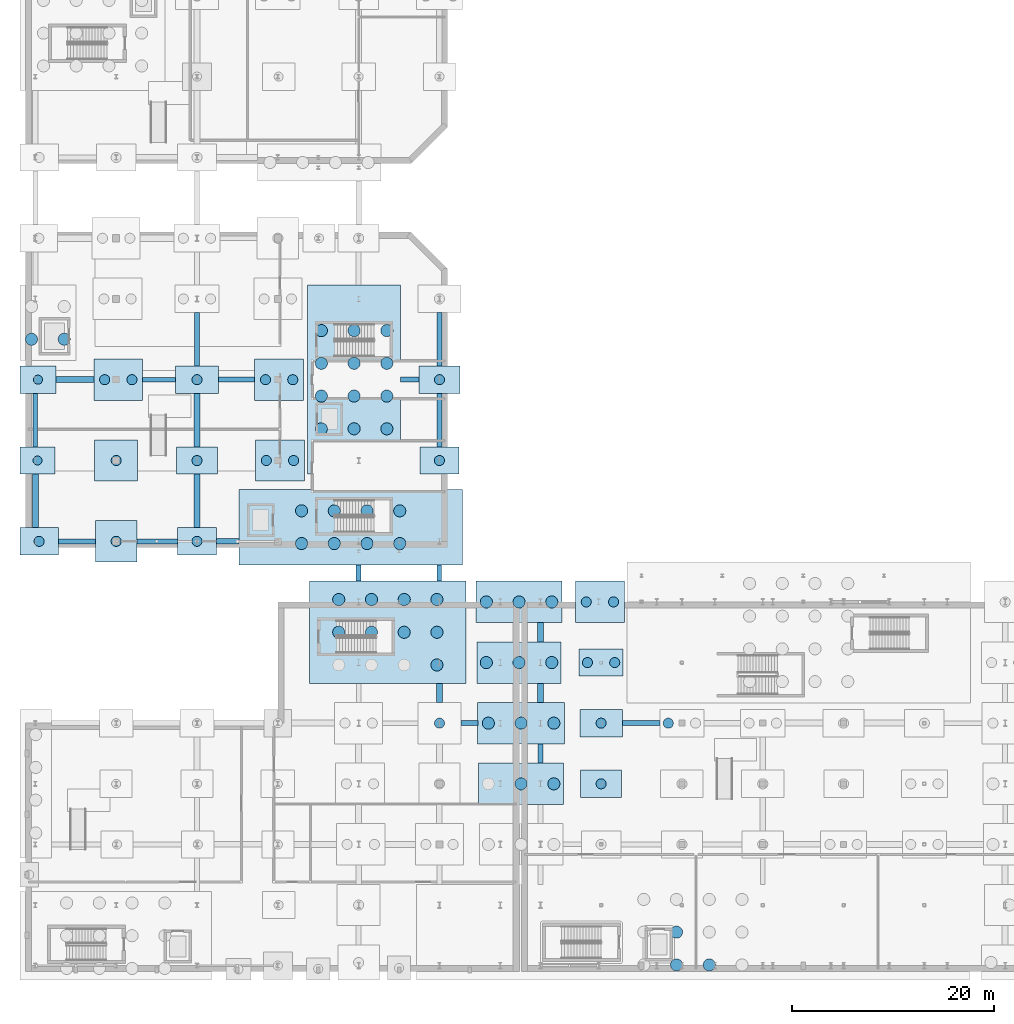
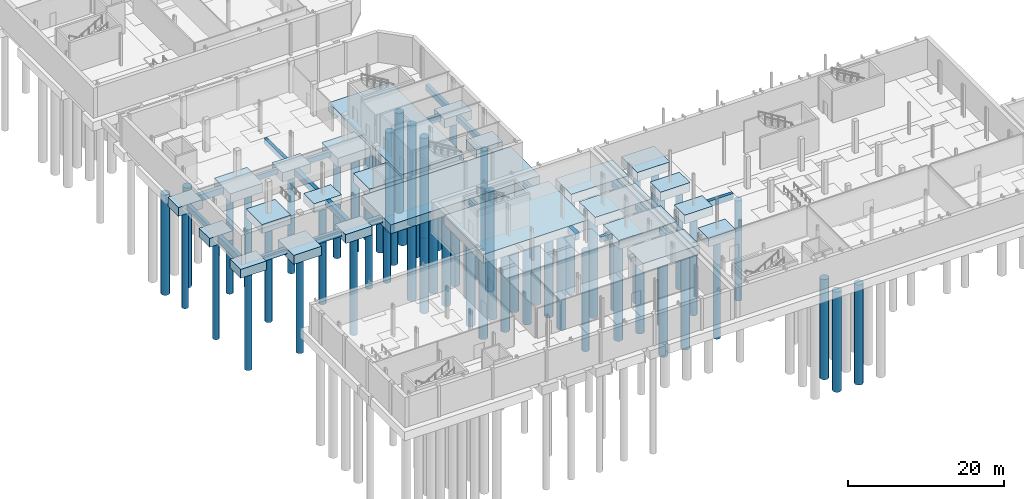
# One storey, part 2 of 47: 69 piles, 46 footings.
"""IFC4 building model written with IfcOpenShell, lengths in metres."""

from ifc_helpers import new_model, si_unit, direction, frame, origin, origin_2d, place, context, subcontext, project, spatial, rectangle, circle, extrude, material, layer, layer_set, material_profile, profile_set, type_object, element, save


model = new_model("IFC4")

# Units and contexts
model_context = context("Model", 3, precision=1e-05, world=origin(), true_north=direction((0.0, 1.0)))
body_context = subcontext(model_context, "Body", "Model", "MODEL_VIEW")
ifc_project = project(units=[si_unit("LENGTHUNIT", "METRE"), si_unit("AREAUNIT", "SQUARE_METRE"), si_unit("VOLUMEUNIT", "CUBIC_METRE"), si_unit("PLANEANGLEUNIT", "RADIAN"), si_unit("MASSUNIT", "GRAM", prefix="KILO")], contexts=[model_context])

# Site, building, storey
site_placement = place(None, origin())
site = spatial("IfcSite", under=ifc_project, at=site_placement, CompositionType="ELEMENT")
building_placement = place(site_placement, origin())
building = spatial("IfcBuilding", under=site, at=building_placement, Name="Cymarion Research Institute", CompositionType="ELEMENT")
storey_placement = place(building_placement, frame((0.0, 0.0, -5.0)))
storey = spatial("IfcBuildingStorey", under=building, at=storey_placement, Name="B1", CompositionType="ELEMENT", Elevation=-5.0)

# Piles
ifc_material = material(Name="Concrete C35/45", Category="concrete")
ifc_material_profile_1 = material_profile(ifc_material, circle(Radius=0.449951171875, at=origin_2d()), Name="BORED PILE D900")
ifc_profile_set_1 = profile_set([ifc_material_profile_1], Name="Concrete C35/45")
pile_type_1 = type_object("IfcPileType", Name="BORED CONCRETE PILE P1 D900", PredefinedType="BORED", material=ifc_profile_set_1)
for number, where, z_axis, x_axis, name in (
    (1, (6.81494140625, 55.5, -1.300048828125), (0.0, 0.0, -1.0), (1.0, 0.0, 0.0), "Bored pile P1 #7"),
    (2, (6.85498046875, 63.5, -1.300048828125), (0.0, 0.0, -1.0), (1.0, 0.0, 0.0), "Bored pile P1 #8"),
):
    element("IfcPile", number, at=place(storey_placement, frame(where, z_axis=z_axis, x_axis=x_axis)), inside=storey, type_object=pile_type_1, Name=name, PredefinedType="BORED", context=body_context, shape_type="SweptSolid", body=[
        extrude(circle(Radius=0.449951171875, at=origin_2d()), origin(), (0.0, 0.0, 1.0), 15.699951171875),
    ])
ifc_material_profile_2 = material_profile(ifc_material, circle(Radius=0.5, at=origin_2d()), Name="BORED PILE D1000")
ifc_profile_set_2 = profile_set([ifc_material_profile_2], Name="Concrete C35/45")
pile_type_2 = type_object("IfcPileType", Name="BORED CONCRETE PILE P2 D1000", PredefinedType="BORED", material=ifc_profile_set_2)
for number, where, z_axis, x_axis, name in (
    (3, (6.97509765625, 47.5, -1.300048828125), (0.0, 0.0, -1.0), (1.0, 0.0, 0.0), "Bored pile P2 #11"),
    (4, (14.60009765625, 47.5, -1.300048828125), (0.0, 0.0, -1.0), (1.0, 0.0, 0.0), "Bored pile P2 #43"),
    (5, (14.60009765625, 55.5, -1.300048828125), (0.0, 0.0, -1.0), (1.0, 0.0, 0.0), "Bored pile P2 #44"),
    (6, (13.4599609375, 63.5, -1.300048828125), (0.0, 0.0, -1.0), (1.0, 0.0, 0.0), "Bored pile P2 #54"),
    (7, (16.159912109375, 63.5, -1.300048828125), (0.0, 0.0, -1.0), (1.0, 0.0, 0.0), "Bored pile P2 #55"),
    (8, (22.60009765625, 47.5, -1.300048828125), (0.0, 0.0, -1.0), (1.0, 0.0, 0.0), "Bored pile P2 #58"),
    (9, (22.60009765625, 55.5, -1.300048828125), (0.0, 0.0, -1.0), (1.0, 0.0, 0.0), "Bored pile P2 #59"),
    (10, (22.60009765625, 63.5, -1.300048828125), (0.0, 0.0, -1.0), (1.0, 0.0, 0.0), "Bored pile P2 #60"),
    (11, (29.3798828125, 63.5, -1.300048828125), (0.0, 0.0, -1.0), (1.0, 0.0, 0.0), "Bored pile P2 #86"),
    (12, (32.080078125, 63.5, -1.300048828125), (0.0, 0.0, -1.0), (1.0, 0.0, 0.0), "Bored pile P2 #87"),
    (13, (29.4599609375, 55.5, -1.300048828125), (0.0, 0.0, -1.0), (1.0, 0.0, 0.0), "Bored pile P2 #88"),
    (14, (32.159912109375, 55.5, -1.300048828125), (0.0, 0.0, -1.0), (1.0, 0.0, 0.0), "Bored pile P2 #89"),
    (15, (46.60009765625, 29.5, -1.300048828125), (0.0, 0.0, -1.0), (1.0, 0.0, 0.0), "Bored pile P2 #155"),
    (16, (46.60009765625, 55.5, -1.300048828125), (0.0, 0.0, -1.0), (1.0, 0.0, 0.0), "Bored pile P2 #156"),
    (17, (46.60009765625, 63.5, -1.300048828125), (0.0, 0.0, -1.0), (1.0, 0.0, 0.0), "Bored pile P2 #157"),
    (18, (61.1298828125, 41.5, -1.300048828125), (0.0, 0.0, -1.0), (1.0, 0.0, 0.0), "Bored pile P2 #177"),
    (19, (63.830078125, 41.5, -1.300048828125), (0.0, 0.0, -1.0), (1.0, 0.0, 0.0), "Bored pile P2 #178"),
    (20, (62.60009765625, 23.5, -1.300048828125), (0.0, 0.0, -1.0), (1.0, 0.0, 0.0), "Bored pile P2 #180"),
    (21, (62.60009765625, 29.5, -1.300048828125), (0.0, 0.0, -1.0), (1.0, 0.0, 0.0), "Bored pile P2 #181"),
    (22, (61.25, 35.5, -1.300048828125), (0.0, 0.0, -1.0), (1.0, 0.0, 0.0), "Bored pile P2 #182"),
    (23, (63.949951171875, 35.5, -1.300048828125), (0.0, 0.0, -1.0), (1.0, 0.0, 0.0), "Bored pile P2 #183"),
    (24, (69.25, 29.5, -1.300048828125), (0.0, 0.0, -1.0), (1.0, 0.0, 0.0), "Bored pile P2 #186"),
):
    element("IfcPile", number, at=place(storey_placement, frame(where, z_axis=z_axis, x_axis=x_axis)), inside=storey, type_object=pile_type_2, Name=name, PredefinedType="BORED", context=body_context, shape_type="SweptSolid", body=[
        extrude(circle(Radius=0.5, at=origin_2d()), origin(), (0.0, 0.0, 1.0), 15.699951171875),
    ])
ifc_material_profile_3 = material_profile(ifc_material, circle(Radius=0.60009765625, at=origin_2d()), Name="BORED PILE D1200")
ifc_profile_set_3 = profile_set([ifc_material_profile_3], Name="Concrete C35/45")
pile_type_3 = type_object("IfcPileType", Name="BORED CONCRETE PILE P3 D1200", PredefinedType="BORED", material=ifc_profile_set_3)
for number, where, z_axis, x_axis, name in (
    (25, (6.219970703125, 67.5048828125, -1.300048828125), (0.0, 0.0, -1.0), (1.0, 0.0, 0.0), "Bored pile P3 #13"),
    (26, (9.4599609375, 67.5048828125, -1.300048828125), (0.0, 0.0, -1.0), (1.0, 0.0, 0.0), "Bored pile P3 #15"),
    (27, (32.949951171875, 47.280029296875, -1.300048828125), (0.0, 0.0, -1.0), (1.0, 0.0, 0.0), "Bored pile P3 #96"),
    (28, (32.949951171875, 50.52001953125, -1.300048828125), (0.0, 0.0, -1.0), (1.0, 0.0, 0.0), "Bored pile P3 #97"),
    (29, (36.18994140625, 47.280029296875, -1.300048828125), (0.0, 0.0, -1.0), (1.0, 0.0, 0.0), "Bored pile P3 #98"),
    (30, (36.18994140625, 50.52001953125, -1.300048828125), (0.0, 0.0, -1.0), (1.0, 0.0, 0.0), "Bored pile P3 #99"),
    (31, (39.429931640625, 47.280029296875, -1.300048828125), (0.0, 0.0, -1.0), (1.0, 0.0, 0.0), "Bored pile P3 #100"),
    (32, (39.429931640625, 50.52001953125, -1.300048828125), (0.0, 0.0, -1.0), (1.0, 0.0, 0.0), "Bored pile P3 #101"),
    (33, (42.669921875, 47.280029296875, -1.300048828125), (0.0, 0.0, -1.0), (1.0, 0.0, 0.0), "Bored pile P3 #102"),
    (34, (42.669921875, 50.52001953125, -1.300048828125), (0.0, 0.0, -1.0), (1.0, 0.0, 0.0), "Bored pile P3 #103"),
    (35, (34.909912109375, 58.639892578125, -1.300048828125), (0.0, 0.0, -1.0), (1.0, 0.0, 0.0), "Bored pile P3 #104"),
    (36, (34.909912109375, 61.8798828125, -1.300048828125), (0.0, 0.0, -1.0), (1.0, 0.0, 0.0), "Bored pile P3 #105"),
    (37, (34.909912109375, 65.1201171875, -1.300048828125), (0.0, 0.0, -1.0), (1.0, 0.0, 0.0), "Bored pile P3 #106"),
    (38, (34.909912109375, 68.360107421875, -1.300048828125), (0.0, 0.0, -1.0), (1.0, 0.0, 0.0), "Bored pile P3 #107"),
    (39, (38.14990234375, 58.639892578125, -1.300048828125), (0.0, 0.0, -1.0), (1.0, 0.0, 0.0), "Bored pile P3 #108"),
    (40, (38.14990234375, 61.8798828125, -1.300048828125), (0.0, 0.0, -1.0), (1.0, 0.0, 0.0), "Bored pile P3 #109"),
    (41, (38.14990234375, 65.1201171875, -1.300048828125), (0.0, 0.0, -1.0), (1.0, 0.0, 0.0), "Bored pile P3 #110"),
    (42, (38.14990234375, 68.360107421875, -1.300048828125), (0.0, 0.0, -1.0), (1.0, 0.0, 0.0), "Bored pile P3 #111"),
    (43, (41.389892578125, 58.639892578125, -1.300048828125), (0.0, 0.0, -1.0), (1.0, 0.0, 0.0), "Bored pile P3 #112"),
    (44, (41.389892578125, 61.8798828125, -1.300048828125), (0.0, 0.0, -1.0), (1.0, 0.0, 0.0), "Bored pile P3 #113"),
    (45, (41.389892578125, 65.1201171875, -1.300048828125), (0.0, 0.0, -1.0), (1.0, 0.0, 0.0), "Bored pile P3 #114"),
    (46, (41.389892578125, 68.360107421875, -1.300048828125), (0.0, 0.0, -1.0), (1.0, 0.0, 0.0), "Bored pile P3 #115"),
    (47, (36.6298828125, 38.5, -1.300048828125), (0.0, 0.0, -1.0), (1.0, 0.0, 0.0), "Bored pile P3 #128"),
    (48, (36.6298828125, 41.739990234375, -1.300048828125), (0.0, 0.0, -1.0), (1.0, 0.0, 0.0), "Bored pile P3 #129"),
    (49, (39.8701171875, 38.5, -1.300048828125), (0.0, 0.0, -1.0), (1.0, 0.0, 0.0), "Bored pile P3 #131"),
    (50, (39.8701171875, 41.739990234375, -1.300048828125), (0.0, 0.0, -1.0), (1.0, 0.0, 0.0), "Bored pile P3 #132"),
    (51, (43.110107421875, 38.5, -1.300048828125), (0.0, 0.0, -1.0), (1.0, 0.0, 0.0), "Bored pile P3 #134"),
    (52, (43.110107421875, 41.739990234375, -1.300048828125), (0.0, 0.0, -1.0), (1.0, 0.0, 0.0), "Bored pile P3 #135"),
    (53, (46.35009765625, 35.260009765625, -1.300048828125), (0.0, 0.0, -1.0), (1.0, 0.0, 0.0), "Bored pile P3 #136"),
    (54, (46.35009765625, 38.5, -1.300048828125), (0.0, 0.0, -1.0), (1.0, 0.0, 0.0), "Bored pile P3 #137"),
    (55, (46.35009765625, 41.739990234375, -1.300048828125), (0.0, 0.0, -1.0), (1.0, 0.0, 0.0), "Bored pile P3 #138"),
    (56, (51.239990234375, 35.5, -1.300048828125), (0.0, 0.0, -1.0), (1.0, 0.0, 0.0), "Bored pile P3 #162"),
    (57, (54.47998046875, 35.5, -1.300048828125), (0.0, 0.0, -1.0), (1.0, 0.0, 0.0), "Bored pile P3 #163"),
    (58, (57.719970703125, 35.5, -1.300048828125), (0.0, 0.0, -1.0), (1.0, 0.0, 0.0), "Bored pile P3 #164"),
    (59, (51.239990234375, 41.5, -1.300048828125), (0.0, 0.0, -1.0), (1.0, 0.0, 0.0), "Bored pile P3 #165"),
    (60, (54.47998046875, 41.5, -1.300048828125), (0.0, 0.0, -1.0), (1.0, 0.0, 0.0), "Bored pile P3 #166"),
    (61, (57.719970703125, 41.5, -1.300048828125), (0.0, 0.0, -1.0), (1.0, 0.0, 0.0), "Bored pile P3 #167"),
    (62, (54.679931640625, 23.5, -1.300048828125), (0.0, 0.0, -1.0), (1.0, 0.0, 0.0), "Bored pile P3 #172"),
    (63, (57.919921875, 23.5, -1.300048828125), (0.0, 0.0, -1.0), (1.0, 0.0, 0.0), "Bored pile P3 #173"),
    (64, (51.43994140625, 29.5, -1.300048828125), (0.0, 0.0, -1.0), (1.0, 0.0, 0.0), "Bored pile P3 #174"),
    (65, (54.679931640625, 29.5, -1.300048828125), (0.0, 0.0, -1.0), (1.0, 0.0, 0.0), "Bored pile P3 #175"),
    (66, (57.919921875, 29.5, -1.300048828125), (0.0, 0.0, -1.0), (1.0, 0.0, 0.0), "Bored pile P3 #176"),
    (67, (70.06494140625, 5.574951171875, -1.300048828125), (0.0, 0.0, -1.0), (1.0, 0.0, 0.0), "Bored pile P3 #191"),
    (68, (70.06494140625, 8.81494140625, -1.300048828125), (0.0, 0.0, -1.0), (1.0, 0.0, 0.0), "Bored pile P3 #192"),
    (69, (73.304931640625, 5.574951171875, -1.300048828125), (0.0, 0.0, -1.0), (1.0, 0.0, 0.0), "Bored pile P3 #194"),
):
    element("IfcPile", number, at=place(storey_placement, frame(where, z_axis=z_axis, x_axis=x_axis)), inside=storey, type_object=pile_type_3, Name=name, PredefinedType="BORED", context=body_context, shape_type="SweptSolid", body=[
        extrude(circle(Radius=0.60009765625, at=origin_2d()), origin(), (0.0, 0.0, 1.0), 15.699951171875),
    ])

# Footings
footing_type_1 = type_object("IfcFootingType", Name="REINFORCED CONCRETE GROUND BEAM GB1 450X800", PredefinedType="FOOTING_BEAM", material=ifc_material)
footing_1_placement = place(storey_placement, frame((18.860107421875, 63.5, -0.7998046875), z_axis=(0.0, 0.0, 1.0), x_axis=(1.0, 0.0, 0.0)))
element("IfcFooting", 70, at=footing_1_placement, inside=storey, type_object=footing_type_1, Name="Seismic tie ground beam GB1 #43", PredefinedType="FOOTING_BEAM", context=body_context, shape_type="SweptSolid", body=[
    extrude(rectangle(XDim=3.260009765625, YDim=0.449951171875, at=origin_2d()), origin(), (0.0, 0.0, 1.0), 0.800048828125),
])
for number, where, z_axis, x_axis, name in (
    (71, (6.60009765625, 59.5, -0.7998046875), (0.0, 0.0, 1.0), (0.0, 1.0, 0.0), "Seismic tie ground beam GB1 #60"),
    (72, (22.60009765625, 67.5, -0.7998046875), (0.0, 0.0, 1.0), (0.0, 1.0, 0.0), "Seismic tie ground beam GB1 #71"),
):
    element("IfcFooting", number, at=place(storey_placement, frame(where, z_axis=z_axis, x_axis=x_axis)), inside=storey, type_object=footing_type_1, Name=name, PredefinedType="FOOTING_BEAM", context=body_context, shape_type="SweptSolid", body=[
        extrude(rectangle(XDim=5.300048828125, YDim=0.449951171875, at=origin_2d()), origin(), (0.0, 0.0, 1.0), 0.800048828125),
    ])
footing_2_placement = place(storey_placement, frame((46.60009765625, 44.35009765625, -0.7998046875), z_axis=(0.0, 0.0, 1.0), x_axis=(0.0, 1.0, 0.0)))
element("IfcFooting", 73, at=footing_2_placement, inside=storey, type_object=footing_type_1, Name="Seismic tie ground beam GB1 #93", PredefinedType="FOOTING_BEAM", context=body_context, shape_type="SweptSolid", body=[
    extrude(rectangle(XDim=1.60009765625, YDim=0.449951171875, at=origin_2d()), origin(), (0.0, 0.0, 1.0), 0.800048828125),
])
footing_type_2 = type_object("IfcFootingType", Name="REINFORCED CONCRETE GROUND BEAM GB2 500X850", PredefinedType="FOOTING_BEAM", material=ifc_material)
footing_3_placement = place(storey_placement, frame((49.56005859375, 29.5, -0.85009765625), z_axis=(0.0, 0.0, 1.0), x_axis=(1.0, 0.0, 0.0)))
element("IfcFooting", 74, at=footing_3_placement, inside=storey, type_object=footing_type_2, Name="Seismic tie ground beam GB2 #29", PredefinedType="FOOTING_BEAM", context=body_context, shape_type="SweptSolid", body=[
    extrude(rectangle(XDim=1.659912109375, YDim=0.5, at=origin_2d()), origin(), (0.0, 0.0, 1.0), 0.85009765625),
])
footing_4_placement = place(storey_placement, frame((10.7099609375, 47.5, -0.85009765625), z_axis=(0.0, 0.0, 1.0), x_axis=(1.0, 0.0, 0.0)))
element("IfcFooting", 75, at=footing_4_placement, inside=storey, type_object=footing_type_2, Name="Seismic tie ground beam GB2 #39", PredefinedType="FOOTING_BEAM", context=body_context, shape_type="SweptSolid", body=[
    extrude(rectangle(XDim=3.679931640625, YDim=0.5, at=origin_2d()), origin(), (0.0, 0.0, 1.0), 0.85009765625),
])
footing_5_placement = place(storey_placement, frame((26.510009765625, 63.5, -0.85009765625), z_axis=(0.0, 0.0, 1.0), x_axis=(1.0, 0.0, 0.0)))
element("IfcFooting", 76, at=footing_5_placement, inside=storey, type_object=footing_type_2, Name="Seismic tie ground beam GB2 #44", PredefinedType="FOOTING_BEAM", context=body_context, shape_type="SweptSolid", body=[
    extrude(rectangle(XDim=3.60009765625, YDim=0.5, at=origin_2d()), origin(), (0.0, 0.0, 1.0), 0.85009765625),
])
footing_6_placement = place(storey_placement, frame((38.60009765625, 44.35009765625, -0.85009765625), z_axis=(0.0, 0.0, 1.0), x_axis=(0.0, 1.0, 0.0)))
element("IfcFooting", 77, at=footing_6_placement, inside=storey, type_object=footing_type_2, Name="Seismic tie ground beam GB2 #83", PredefinedType="FOOTING_BEAM", context=body_context, shape_type="SweptSolid", body=[
    extrude(rectangle(XDim=1.60009765625, YDim=0.5, at=origin_2d()), origin(), (0.0, 0.0, 1.0), 0.85009765625),
])
footing_7_placement = place(storey_placement, frame((46.60009765625, 59.5, -0.85009765625), z_axis=(0.0, 0.0, 1.0), x_axis=(0.0, 1.0, 0.0)))
element("IfcFooting", 78, at=footing_7_placement, inside=storey, type_object=footing_type_2, Name="Seismic tie ground beam GB2 #94", PredefinedType="FOOTING_BEAM", context=body_context, shape_type="SweptSolid", body=[
    extrude(rectangle(XDim=5.300048828125, YDim=0.5, at=origin_2d()), origin(), (0.0, 0.0, 1.0), 0.85009765625),
])
footing_type_3 = type_object("IfcFootingType", Name="REINFORCED CONCRETE GROUND BEAM GB3 500X950", PredefinedType="FOOTING_BEAM", material=ifc_material)
footing_8_placement = place(storey_placement, frame((66.56005859375, 29.5, -0.9501953125), z_axis=(0.0, 0.0, 1.0), x_axis=(1.0, 0.0, 0.0)))
element("IfcFooting", 79, at=footing_8_placement, inside=storey, type_object=footing_type_3, Name="Seismic tie ground beam GB3 #30", PredefinedType="FOOTING_BEAM", context=body_context, shape_type="SweptSolid", body=[
    extrude(rectangle(XDim=3.699951171875, YDim=0.5, at=origin_2d()), origin(), (0.0, 0.0, 1.0), 0.949951171875),
])
footing_9_placement = place(storey_placement, frame((18.64990234375, 47.5, -0.9501953125), z_axis=(0.0, 0.0, 1.0), x_axis=(1.0, 0.0, 0.0)))
element("IfcFooting", 80, at=footing_9_placement, inside=storey, type_object=footing_type_3, Name="Seismic tie ground beam GB3 #40", PredefinedType="FOOTING_BEAM", context=body_context, shape_type="SweptSolid", body=[
    extrude(rectangle(XDim=4.0, YDim=0.5, at=origin_2d()), origin(), (0.0, 0.0, 1.0), 0.949951171875),
])
footing_10_placement = place(storey_placement, frame((43.659912109375, 63.5, -0.9501953125), z_axis=(0.0, 0.0, 1.0), x_axis=(1.0, 0.0, 0.0)))
element("IfcFooting", 81, at=footing_10_placement, inside=storey, type_object=footing_type_3, Name="Seismic tie ground beam GB3 #45", PredefinedType="FOOTING_BEAM", context=body_context, shape_type="SweptSolid", body=[
    extrude(rectangle(XDim=1.820068359375, YDim=0.5, at=origin_2d()), origin(), (0.0, 0.0, 1.0), 0.949951171875),
])
footing_11_placement = place(storey_placement, frame((46.60009765625, 67.5, -0.9501953125), z_axis=(0.0, 0.0, 1.0), x_axis=(0.0, 1.0, 0.0)))
element("IfcFooting", 82, at=footing_11_placement, inside=storey, type_object=footing_type_3, Name="Seismic tie ground beam GB3 #95", PredefinedType="FOOTING_BEAM", context=body_context, shape_type="SweptSolid", body=[
    extrude(rectangle(XDim=5.300048828125, YDim=0.5, at=origin_2d()), origin(), (0.0, 0.0, 1.0), 0.949951171875),
])
footing_12_placement = place(storey_placement, frame((56.60009765625, 26.5, -0.9501953125), z_axis=(0.0, 0.0, 1.0), x_axis=(0.0, 1.0, 0.0)))
element("IfcFooting", 83, at=footing_12_placement, inside=storey, type_object=footing_type_3, Name="Seismic tie ground beam GB3 #100", PredefinedType="FOOTING_BEAM", context=body_context, shape_type="SweptSolid", body=[
    extrude(rectangle(XDim=1.89990234375, YDim=0.5, at=origin_2d()), origin(), (0.0, 0.0, 1.0), 0.949951171875),
])
footing_type_4 = type_object("IfcFootingType", Name="REINFORCED CONCRETE GROUND BEAM GB4 550X900", PredefinedType="FOOTING_BEAM", material=ifc_material)
footing_13_placement = place(storey_placement, frame((25.64990234375, 47.5, -0.89990234375), z_axis=(0.0, 0.0, 1.0), x_axis=(1.0, 0.0, 0.0)))
element("IfcFooting", 84, at=footing_13_placement, inside=storey, type_object=footing_type_4, Name="Seismic tie ground beam GB4 #41", PredefinedType="FOOTING_BEAM", context=body_context, shape_type="SweptSolid", body=[
    extrude(rectangle(XDim=2.199951171875, YDim=0.550048828125, at=origin_2d()), origin(), (0.0, 0.0, 1.0), 0.89990234375),
])
footing_14_placement = place(storey_placement, frame((56.60009765625, 32.5, -0.89990234375), z_axis=(0.0, 0.0, 1.0), x_axis=(0.0, 1.0, 0.0)))
element("IfcFooting", 85, at=footing_14_placement, inside=storey, type_object=footing_type_4, Name="Seismic tie ground beam GB4 #101", PredefinedType="FOOTING_BEAM", context=body_context, shape_type="SweptSolid", body=[
    extrude(rectangle(XDim=1.89990234375, YDim=0.550048828125, at=origin_2d()), origin(), (0.0, 0.0, 1.0), 0.89990234375),
])
footing_type_5 = type_object("IfcFootingType", Name="REINFORCED CONCRETE GROUND BEAM GB5 600X900", PredefinedType="FOOTING_BEAM", material=ifc_material)
footing_15_placement = place(storey_placement, frame((22.60009765625, 51.5, -0.89990234375), z_axis=(0.0, 0.0, 1.0), x_axis=(0.0, 1.0, 0.0)))
element("IfcFooting", 86, at=footing_15_placement, inside=storey, type_object=footing_type_5, Name="Seismic tie ground beam GB5 #69", PredefinedType="FOOTING_BEAM", context=body_context, shape_type="SweptSolid", body=[
    extrude(rectangle(XDim=5.300048828125, YDim=0.60009765625, at=origin_2d()), origin(), (0.0, 0.0, 1.0), 0.89990234375),
])
footing_16_placement = place(storey_placement, frame((56.60009765625, 38.5, -0.89990234375), z_axis=(0.0, 0.0, 1.0), x_axis=(0.0, 1.0, 0.0)))
element("IfcFooting", 87, at=footing_16_placement, inside=storey, type_object=footing_type_5, Name="Seismic tie ground beam GB5 #102", PredefinedType="FOOTING_BEAM", context=body_context, shape_type="SweptSolid", body=[
    extrude(rectangle(XDim=1.89990234375, YDim=0.60009765625, at=origin_2d()), origin(), (0.0, 0.0, 1.0), 0.89990234375),
])
footing_type_6 = type_object("IfcFootingType", Name="REINFORCED CONCRETE GROUND BEAM GB6 600X1050", PredefinedType="FOOTING_BEAM", material=ifc_material)
footing_17_placement = place(storey_placement, frame((10.510009765625, 63.5, -1.0498046875), z_axis=(0.0, 0.0, 1.0), x_axis=(1.0, 0.0, 0.0)))
element("IfcFooting", 88, at=footing_17_placement, inside=storey, type_object=footing_type_6, Name="Seismic tie ground beam GB6 #42", PredefinedType="FOOTING_BEAM", context=body_context, shape_type="SweptSolid", body=[
    extrude(rectangle(XDim=3.760009765625, YDim=0.60009765625, at=origin_2d()), origin(), (0.0, 0.0, 1.0), 1.050048828125),
])
for number, where, z_axis, x_axis, name in (
    (89, (6.60009765625, 51.5, -1.0498046875), (0.0, 0.0, 1.0), (0.0, 1.0, 0.0), "Seismic tie ground beam GB6 #59"),
    (90, (22.60009765625, 59.5, -1.0498046875), (0.0, 0.0, 1.0), (0.0, 1.0, 0.0), "Seismic tie ground beam GB6 #70"),
):
    element("IfcFooting", number, at=place(storey_placement, frame(where, z_axis=z_axis, x_axis=x_axis)), inside=storey, type_object=footing_type_6, Name=name, PredefinedType="FOOTING_BEAM", context=body_context, shape_type="SweptSolid", body=[
        extrude(rectangle(XDim=5.300048828125, YDim=0.60009765625, at=origin_2d()), origin(), (0.0, 0.0, 1.0), 1.050048828125),
    ])
footing_18_placement = place(storey_placement, frame((46.60009765625, 32.5, -1.0498046875), z_axis=(0.0, 0.0, 1.0), x_axis=(0.0, 1.0, 0.0)))
element("IfcFooting", 91, at=footing_18_placement, inside=storey, type_object=footing_type_6, Name="Seismic tie ground beam GB6 #92", PredefinedType="FOOTING_BEAM", context=body_context, shape_type="SweptSolid", body=[
    extrude(rectangle(XDim=1.89990234375, YDim=0.60009765625, at=origin_2d()), origin(), (0.0, 0.0, 1.0), 1.050048828125),
])
ifc_layer_1 = layer(ifc_material, 1.39990234375)
ifc_layer_set_1 = layer_set([ifc_layer_1], Name="Concrete C35/45")
footing_type_7 = type_object("IfcFootingType", Name="REINFORCED CONCRETE PILE CAP PC04 3470X2700X1400", PredefinedType="PILE_CAP", material=ifc_layer_set_1)
footing_19_placement = place(storey_placement, frame((6.81494140625, 55.5, -1.39990234375), z_axis=(0.0, 0.0, 1.0), x_axis=(1.0, 0.0, 0.0)))
element("IfcFooting", 92, at=footing_19_placement, inside=storey, type_object=footing_type_7, Name="Pile cap PC04 #4", PredefinedType="PILE_CAP", context=body_context, shape_type="SweptSolid", body=[
    extrude(rectangle(XDim=3.469970703125, YDim=2.699951171875, at=origin_2d()), origin(), (0.0, 0.0, 1.0), 1.39990234375),
])
ifc_layer_2 = layer(ifc_material, 1.39990234375)
ifc_layer_set_2 = layer_set([ifc_layer_2], Name="Concrete C35/45")
footing_type_8 = type_object("IfcFootingType", Name="REINFORCED CONCRETE PILE CAP PC05 3550X2700X1400", PredefinedType="PILE_CAP", material=ifc_layer_set_2)
footing_20_placement = place(storey_placement, frame((6.85498046875, 63.5, -1.39990234375), z_axis=(0.0, 0.0, 1.0), x_axis=(1.0, 0.0, 0.0)))
element("IfcFooting", 93, at=footing_20_placement, inside=storey, type_object=footing_type_8, Name="Pile cap PC05 #5", PredefinedType="PILE_CAP", context=body_context, shape_type="SweptSolid", body=[
    extrude(rectangle(XDim=3.550048828125, YDim=2.699951171875, at=origin_2d()), origin(), (0.0, 0.0, 1.0), 1.39990234375),
])
ifc_layer_3 = layer(ifc_material, 1.39990234375)
ifc_layer_set_3 = layer_set([ifc_layer_3], Name="Concrete C35/45")
footing_type_9 = type_object("IfcFootingType", Name="REINFORCED CONCRETE PILE CAP PC07 3790X2700X1400", PredefinedType="PILE_CAP", material=ifc_layer_set_3)
footing_21_placement = place(storey_placement, frame((6.97509765625, 47.5, -1.39990234375), z_axis=(0.0, 0.0, 1.0), x_axis=(1.0, 0.0, 0.0)))
element("IfcFooting", 94, at=footing_21_placement, inside=storey, type_object=footing_type_9, Name="Pile cap PC07 #8", PredefinedType="PILE_CAP", context=body_context, shape_type="SweptSolid", body=[
    extrude(rectangle(XDim=3.7900390625, YDim=2.699951171875, at=origin_2d()), origin(), (0.0, 0.0, 1.0), 1.39990234375),
])
ifc_layer_4 = layer(ifc_material, 1.39990234375)
ifc_layer_set_4 = layer_set([ifc_layer_4], Name="Concrete C35/45")
footing_type_10 = type_object("IfcFootingType", Name="REINFORCED CONCRETE PILE CAP PC13 4100X4100X1400", PredefinedType="PILE_CAP", material=ifc_layer_set_4)
footing_22_placement = place(storey_placement, frame((14.60009765625, 47.5, -1.39990234375), z_axis=(0.0, 0.0, 1.0), x_axis=(1.0, 0.0, 0.0)))
element("IfcFooting", 95, at=footing_22_placement, inside=storey, type_object=footing_type_10, Name="Pile cap PC13 #15", PredefinedType="PILE_CAP", context=body_context, shape_type="SweptSolid", body=[
    extrude(rectangle(XDim=4.10009765625, YDim=4.10009765625, at=origin_2d()), origin(), (0.0, 0.0, 1.0), 1.39990234375),
])
ifc_layer_5 = layer(ifc_material, 1.39990234375)
ifc_layer_set_5 = layer_set([ifc_layer_5], Name="Concrete C35/45")
footing_type_11 = type_object("IfcFootingType", Name="REINFORCED CONCRETE PILE CAP PC14 4260X4100X1400", PredefinedType="PILE_CAP", material=ifc_layer_set_5)
footing_23_placement = place(storey_placement, frame((14.60009765625, 55.5, -1.39990234375), z_axis=(0.0, 0.0, 1.0), x_axis=(1.0, 0.0, 0.0)))
element("IfcFooting", 96, at=footing_23_placement, inside=storey, type_object=footing_type_11, Name="Pile cap PC14 #16", PredefinedType="PILE_CAP", context=body_context, shape_type="SweptSolid", body=[
    extrude(rectangle(XDim=4.260009765625, YDim=4.10009765625, at=origin_2d()), origin(), (0.0, 0.0, 1.0), 1.39990234375),
])
ifc_layer_6 = layer(ifc_material, 1.39990234375)
ifc_layer_set_6 = layer_set([ifc_layer_6], Name="Concrete C35/45")
footing_type_12 = type_object("IfcFootingType", Name="REINFORCED CONCRETE PILE CAP PC16 3900X2700X1400", PredefinedType="PILE_CAP", material=ifc_layer_set_6)
for number, where, z_axis, x_axis, name in (
    (97, (22.60009765625, 47.5, -1.39990234375), (0.0, 0.0, 1.0), (1.0, 0.0, 0.0), "Pile cap PC16 #26"),
    (98, (46.60009765625, 55.5, -1.39990234375), (0.0, 0.0, 1.0), (1.0, 0.0, 0.0), "Pile cap PC16 #70"),
):
    element("IfcFooting", number, at=place(storey_placement, frame(where, z_axis=z_axis, x_axis=x_axis)), inside=storey, type_object=footing_type_12, Name=name, PredefinedType="PILE_CAP", context=body_context, shape_type="SweptSolid", body=[
        extrude(rectangle(XDim=3.89990234375, YDim=2.699951171875, at=origin_2d()), origin(), (0.0, 0.0, 1.0), 1.39990234375),
    ])
ifc_layer_7 = layer(ifc_material, 1.39990234375)
ifc_layer_set_7 = layer_set([ifc_layer_7], Name="Concrete C35/45")
footing_type_13 = type_object("IfcFootingType", Name="REINFORCED CONCRETE PILE CAP PC17 4380X2700X1400", PredefinedType="PILE_CAP", material=ifc_layer_set_7)
footing_24_placement = place(storey_placement, frame((62.60009765625, 35.5, -1.39990234375), z_axis=(0.0, 0.0, 1.0), x_axis=(1.0, 0.0, 0.0)))
element("IfcFooting", 99, at=footing_24_placement, inside=storey, type_object=footing_type_13, Name="Pile cap PC17 #84", PredefinedType="PILE_CAP", context=body_context, shape_type="SweptSolid", body=[
    extrude(rectangle(XDim=4.3798828125, YDim=2.699951171875, at=origin_2d()), origin(), (0.0, 0.0, 1.0), 1.39990234375),
])
ifc_layer_8 = layer(ifc_material, 1.39990234375)
ifc_layer_set_8 = layer_set([ifc_layer_8], Name="Concrete C35/45")
footing_type_14 = type_object("IfcFootingType", Name="REINFORCED CONCRETE PILE CAP PC18 4840X4100X1400", PredefinedType="PILE_CAP", material=ifc_layer_set_8)
for number, where, z_axis, x_axis, name in (
    (100, (14.81005859375, 63.5, -1.39990234375), (0.0, 0.0, 1.0), (1.0, 0.0, 0.0), "Pile cap PC18 #23"),
    (101, (30.72998046875, 63.5, -1.39990234375), (0.0, 0.0, 1.0), (1.0, 0.0, 0.0), "Pile cap PC18 #49"),
    (102, (30.81005859375, 55.5, -1.39990234375), (0.0, 0.0, 1.0), (1.0, 0.0, 0.0), "Pile cap PC18 #50"),
    (103, (62.47998046875, 41.5, -1.39990234375), (0.0, 0.0, 1.0), (1.0, 0.0, 0.0), "Pile cap PC18 #80"),
):
    element("IfcFooting", number, at=place(storey_placement, frame(where, z_axis=z_axis, x_axis=x_axis)), inside=storey, type_object=footing_type_14, Name=name, PredefinedType="PILE_CAP", context=body_context, shape_type="SweptSolid", body=[
        extrude(rectangle(XDim=4.840087890625, YDim=4.10009765625, at=origin_2d()), origin(), (0.0, 0.0, 1.0), 1.39990234375),
    ])
ifc_layer_9 = layer(ifc_material, 1.39990234375)
ifc_layer_set_9 = layer_set([ifc_layer_9], Name="Concrete C35/45")
footing_type_15 = type_object("IfcFootingType", Name="REINFORCED CONCRETE PILE CAP PC19 4060X2700X1400", PredefinedType="PILE_CAP", material=ifc_layer_set_9)
for number, where, z_axis, x_axis, name in (
    (104, (22.60009765625, 55.5, -1.39990234375), (0.0, 0.0, 1.0), (1.0, 0.0, 0.0), "Pile cap PC19 #27"),
    (105, (46.60009765625, 63.5, -1.39990234375), (0.0, 0.0, 1.0), (1.0, 0.0, 0.0), "Pile cap PC19 #71"),
    (106, (62.60009765625, 23.5, -1.39990234375), (0.0, 0.0, 1.0), (1.0, 0.0, 0.0), "Pile cap PC19 #82"),
):
    element("IfcFooting", number, at=place(storey_placement, frame(where, z_axis=z_axis, x_axis=x_axis)), inside=storey, type_object=footing_type_15, Name=name, PredefinedType="PILE_CAP", context=body_context, shape_type="SweptSolid", body=[
        extrude(rectangle(XDim=4.06005859375, YDim=2.699951171875, at=origin_2d()), origin(), (0.0, 0.0, 1.0), 1.39990234375),
    ])
ifc_layer_10 = layer(ifc_material, 1.39990234375)
ifc_layer_set_10 = layer_set([ifc_layer_10], Name="Concrete C35/45")
footing_type_16 = type_object("IfcFootingType", Name="REINFORCED CONCRETE PILE CAP PC20 4220X2700X1400", PredefinedType="PILE_CAP", material=ifc_layer_set_10)
for number, where, z_axis, x_axis, name in (
    (107, (22.60009765625, 63.5, -1.39990234375), (0.0, 0.0, 1.0), (1.0, 0.0, 0.0), "Pile cap PC20 #28"),
    (108, (62.60009765625, 29.5, -1.39990234375), (0.0, 0.0, 1.0), (1.0, 0.0, 0.0), "Pile cap PC20 #83"),
):
    element("IfcFooting", number, at=place(storey_placement, frame(where, z_axis=z_axis, x_axis=x_axis)), inside=storey, type_object=footing_type_16, Name=name, PredefinedType="PILE_CAP", context=body_context, shape_type="SweptSolid", body=[
        extrude(rectangle(XDim=4.219970703125, YDim=2.699951171875, at=origin_2d()), origin(), (0.0, 0.0, 1.0), 1.39990234375),
    ])
ifc_layer_11 = layer(ifc_material, 1.39990234375)
ifc_layer_set_11 = layer_set([ifc_layer_11], Name="Concrete C35/45")
footing_type_17 = type_object("IfcFootingType", Name="REINFORCED CONCRETE PILE CAP PC27 22120X7500X1400", PredefinedType="PILE_CAP", material=ifc_layer_set_11)
footing_25_placement = place(storey_placement, frame((37.81005859375, 48.89990234375, -1.39990234375), z_axis=(0.0, 0.0, 1.0), x_axis=(1.0, 0.0, 0.0)))
element("IfcFooting", 109, at=footing_25_placement, inside=storey, type_object=footing_type_17, Name="Pile cap PC27 #54", PredefinedType="PILE_CAP", context=body_context, shape_type="SweptSolid", body=[
    extrude(rectangle(XDim=22.1201171875, YDim=7.5, at=origin_2d()), origin(), (0.0, 0.0, 1.0), 1.39990234375),
])
ifc_layer_12 = layer(ifc_material, 1.39990234375)
ifc_layer_set_12 = layer_set([ifc_layer_12], Name="Concrete C35/45")
footing_type_18 = type_object("IfcFootingType", Name="REINFORCED CONCRETE PILE CAP PC28 9200X18700X1400", PredefinedType="PILE_CAP", material=ifc_layer_set_12)
footing_26_placement = place(storey_placement, frame((38.14990234375, 63.5, -1.39990234375), z_axis=(0.0, 0.0, 1.0), x_axis=(1.0, 0.0, 0.0)))
element("IfcFooting", 110, at=footing_26_placement, inside=storey, type_object=footing_type_18, Name="Pile cap PC28 #55", PredefinedType="PILE_CAP", context=body_context, shape_type="SweptSolid", body=[
    extrude(rectangle(XDim=9.199951171875, YDim=18.699951171875, at=origin_2d()), origin(), (0.0, 0.0, 1.0), 1.39990234375),
])
ifc_layer_13 = layer(ifc_material, 1.39990234375)
ifc_layer_set_13 = layer_set([ifc_layer_13], Name="Concrete C35/45")
footing_type_19 = type_object("IfcFootingType", Name="REINFORCED CONCRETE PILE CAP PC30 15480X10100X1400", PredefinedType="PILE_CAP", material=ifc_layer_set_13)
footing_27_placement = place(storey_placement, frame((41.489990234375, 38.5, -1.39990234375), z_axis=(0.0, 0.0, 1.0), x_axis=(1.0, 0.0, 0.0)))
element("IfcFooting", 111, at=footing_27_placement, inside=storey, type_object=footing_type_19, Name="Pile cap PC30 #64", PredefinedType="PILE_CAP", context=body_context, shape_type="SweptSolid", body=[
    extrude(rectangle(XDim=15.47998046875, YDim=10.10009765625, at=origin_2d()), origin(), (0.0, 0.0, 1.0), 1.39990234375),
])
ifc_layer_14 = layer(ifc_material, 1.39990234375)
ifc_layer_set_14 = layer_set([ifc_layer_14], Name="Concrete C35/45")
footing_type_20 = type_object("IfcFootingType", Name="REINFORCED CONCRETE PILE CAP PC33 8340X4100X1400", PredefinedType="PILE_CAP", material=ifc_layer_set_14)
footing_28_placement = place(storey_placement, frame((54.47998046875, 35.5, -1.39990234375), z_axis=(0.0, 0.0, 1.0), x_axis=(1.0, 0.0, 0.0)))
element("IfcFooting", 112, at=footing_28_placement, inside=storey, type_object=footing_type_20, Name="Pile cap PC33 #75", PredefinedType="PILE_CAP", context=body_context, shape_type="SweptSolid", body=[
    extrude(rectangle(XDim=8.340087890625, YDim=4.10009765625, at=origin_2d()), origin(), (0.0, 0.0, 1.0), 1.39990234375),
])
ifc_layer_15 = layer(ifc_material, 1.39990234375)
ifc_layer_set_15 = layer_set([ifc_layer_15], Name="Concrete C35/45")
footing_type_21 = type_object("IfcFootingType", Name="REINFORCED CONCRETE PILE CAP PC34 8500X4100X1400", PredefinedType="PILE_CAP", material=ifc_layer_set_15)
footing_29_placement = place(storey_placement, frame((54.47998046875, 41.5, -1.39990234375), z_axis=(0.0, 0.0, 1.0), x_axis=(1.0, 0.0, 0.0)))
element("IfcFooting", 113, at=footing_29_placement, inside=storey, type_object=footing_type_21, Name="Pile cap PC34 #76", PredefinedType="PILE_CAP", context=body_context, shape_type="SweptSolid", body=[
    extrude(rectangle(XDim=8.5, YDim=4.10009765625, at=origin_2d()), origin(), (0.0, 0.0, 1.0), 1.39990234375),
])
ifc_layer_16 = layer(ifc_material, 1.39990234375)
ifc_layer_set_16 = layer_set([ifc_layer_16], Name="Concrete C35/45")
footing_type_22 = type_object("IfcFootingType", Name="REINFORCED CONCRETE PILE CAP PC36 8420X4100X1400", PredefinedType="PILE_CAP", material=ifc_layer_set_16)
footing_30_placement = place(storey_placement, frame((54.679931640625, 23.5, -1.39990234375), z_axis=(0.0, 0.0, 1.0), x_axis=(1.0, 0.0, 0.0)))
element("IfcFooting", 114, at=footing_30_placement, inside=storey, type_object=footing_type_22, Name="Pile cap PC36 #78", PredefinedType="PILE_CAP", context=body_context, shape_type="SweptSolid", body=[
    extrude(rectangle(XDim=8.419921875, YDim=4.10009765625, at=origin_2d()), origin(), (0.0, 0.0, 1.0), 1.39990234375),
])
ifc_layer_17 = layer(ifc_material, 1.39990234375)
ifc_layer_set_17 = layer_set([ifc_layer_17], Name="Concrete C35/45")
footing_type_23 = type_object("IfcFootingType", Name="REINFORCED CONCRETE PILE CAP PC37 8580X4100X1400", PredefinedType="PILE_CAP", material=ifc_layer_set_17)
footing_31_placement = place(storey_placement, frame((54.679931640625, 29.5, -1.39990234375), z_axis=(0.0, 0.0, 1.0), x_axis=(1.0, 0.0, 0.0)))
element("IfcFooting", 115, at=footing_31_placement, inside=storey, type_object=footing_type_23, Name="Pile cap PC37 #79", PredefinedType="PILE_CAP", context=body_context, shape_type="SweptSolid", body=[
    extrude(rectangle(XDim=8.580078125, YDim=4.10009765625, at=origin_2d()), origin(), (0.0, 0.0, 1.0), 1.39990234375),
])

save(model, "model.ifc")
